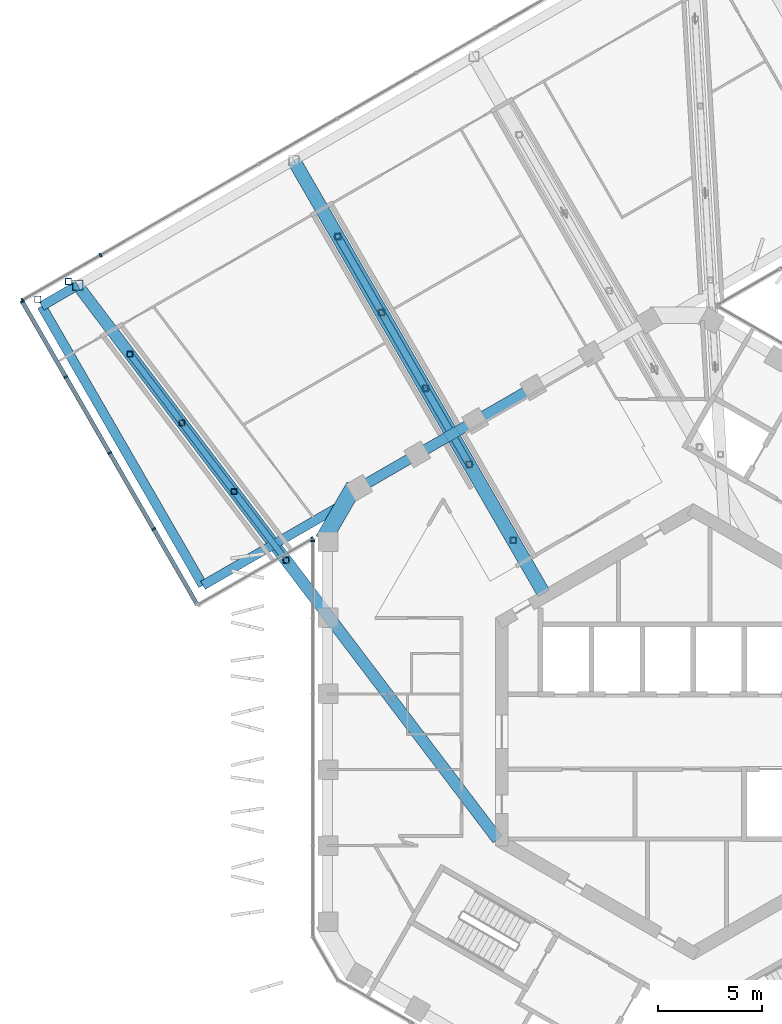
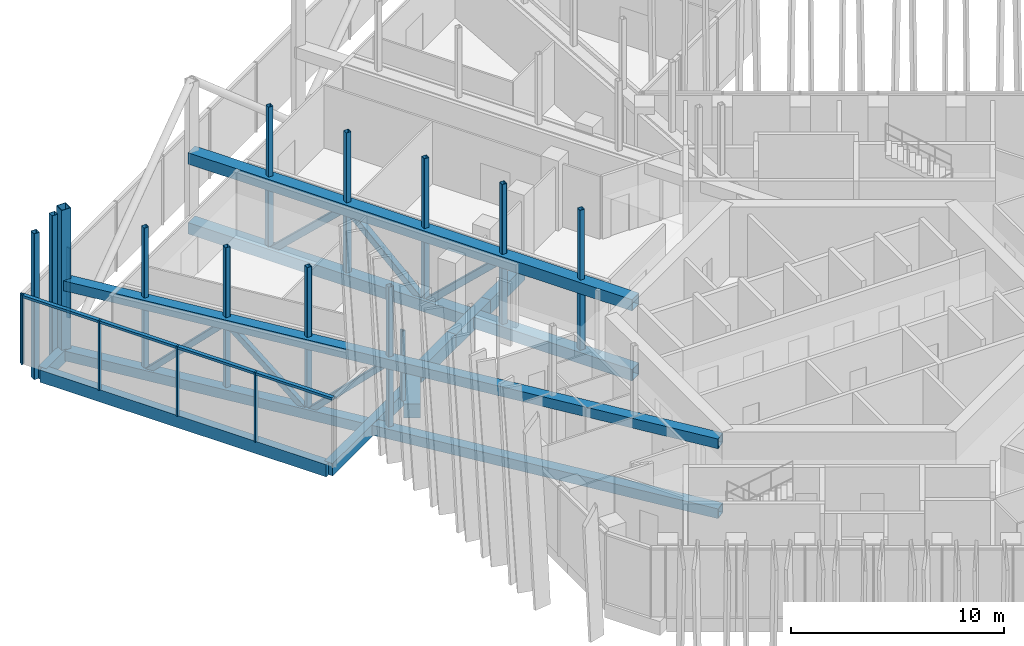
# One storey, part 5 of 29: 40 members, 7 beams, 4 elements without a shape of their own.
"""IFC4 building model written with IfcOpenShell, lengths in metres."""

from ifc_helpers import new_model, si_unit, direction, frame, origin, origin_2d, place, context, subcontext, project, spatial, rectangle, hollow_rectangle, extrude, material, layer, layer_set, material_profile, profile_set, type_object, element, aggregate, save


model = new_model("IFC4")

# Units and contexts
model_context = context("Model", 3, precision=1e-05, world=origin(), true_north=direction((0.0, 1.0)))
body_context = subcontext(model_context, "Body", "Model", "MODEL_VIEW")
ifc_project = project(units=[si_unit("LENGTHUNIT", "METRE"), si_unit("AREAUNIT", "SQUARE_METRE"), si_unit("VOLUMEUNIT", "CUBIC_METRE"), si_unit("PLANEANGLEUNIT", "RADIAN"), si_unit("MASSUNIT", "GRAM", prefix="KILO")], contexts=[model_context])

# Site, building, storey
site_placement = place(None, origin())
site = spatial("IfcSite", under=ifc_project, at=site_placement, CompositionType="ELEMENT")
building_placement = place(site_placement, origin())
building = spatial("IfcBuilding", under=site, at=building_placement, Name="Ayvan Gate Tower", CompositionType="ELEMENT")
storey_placement = place(building_placement, frame((0.0, 0.0, 186.699951171875)))
storey = spatial("IfcBuildingStorey", under=building, at=storey_placement, Name="L50", CompositionType="ELEMENT", Elevation=186.699951171875)

# Beam
ifc_material_1 = material(Name="Concrete C40/50", Category="concrete")
ifc_material_profile_1 = material_profile(ifc_material_1, rectangle(XDim=0.800048828125, YDim=0.800048828125, at=origin_2d()), Name="RC 800x800")
ifc_profile_set_1 = profile_set([ifc_material_profile_1], Name="Concrete C40/50")
beam_type_1 = type_object("IfcBeamType", Name="Corner spandrel beam RC 800x800 C40/50", PredefinedType="BEAM", material=ifc_profile_set_1)
beam_1_placement = place(storey_placement, frame((-16.297607421875, 11.810546875, -0.800048828125), z_axis=(-0.50002537861, -0.866010750942, 0.0), x_axis=(0.866010750942, -0.50002537861, 0.0)))
element("IfcBeam", 1, at=beam_1_placement, inside=storey, type_object=beam_type_1, Name="SB-L50-18", PredefinedType="BEAM", context=body_context, shape_type="SweptSolid", body=[
    extrude(rectangle(XDim=0.800048828125, YDim=0.800048828125, at=origin_2d()), origin(), (0.0, 0.0, 1.0), 2.999755859375),
])

# Members
ifc_material_2 = material(Name="Steel S460NH", Category="steel")
ifc_material_profile_2 = material_profile(ifc_material_2, hollow_rectangle(XDim=0.300048828125, YDim=0.300048828125, WallThickness=0.01416015625, InnerFilletRadius=0.01416015625, OuterFilletRadius=0.021240234375, at=origin_2d()), Name="RHS 300x300x14.2")
ifc_profile_set_2 = profile_set([ifc_material_profile_2], Name="Steel S460NH")
member_type_1 = type_object("IfcMemberType", Name="Sky bar corner post B4 RHS 300x300x14.2", PredefinedType="POST", material=ifc_profile_set_2)
for number, where, z_axis, x_axis, name in (
    (2, (-31.51904296875, 20.792724609375, -1.099853515625), (0.0, 0.0, 1.0), (1.0, 0.0, 0.0), "SBX4-C-P-1"),
    (3, (-30.046875, 21.642578125, -1.099853515625), (0.0, 0.0, 1.0), (1.0, 0.0, 0.0), "SBX4-C-P-2"),
):
    element("IfcMember", number, at=place(storey_placement, frame(where, z_axis=z_axis, x_axis=x_axis)), inside=storey, type_object=member_type_1, Name=name, PredefinedType="POST", context=body_context, shape_type="SweptSolid", body=[
        extrude(hollow_rectangle(XDim=0.300048828125, YDim=0.300048828125, WallThickness=0.01416015625, InnerFilletRadius=0.01416015625, OuterFilletRadius=0.021240234375, at=origin_2d()), origin(), (0.0, 0.0, 1.0), 8.349853515625),
    ])

# Beams
ifc_material_profile_3 = material_profile(ifc_material_1, rectangle(XDim=0.449951171875, YDim=0.699951171875, at=origin_2d()), Name="RC 450x700")
ifc_profile_set_3 = profile_set([ifc_material_profile_3], Name="Concrete C40/50")
beam_type_2 = type_object("IfcBeamType", Name="Sky bar edge beam RC 450x700 C40/50", PredefinedType="BEAM", material=ifc_profile_set_3)
beam_2_placement = place(storey_placement, frame((-16.9794921875, 10.850341796875, -0.75), z_axis=(-0.866038339422, -0.499977594149, 0.0), x_axis=(0.499977594149, -0.866038339422, 0.0)))
element("IfcBeam", 4, at=beam_2_placement, inside=storey, type_object=beam_type_2, Name="EB-B4-L50-1", PredefinedType="BEAM", context=body_context, shape_type="SweptSolid", body=[
    extrude(rectangle(XDim=0.449951171875, YDim=0.699951171875, at=origin_2d()), origin(), (0.0, 0.0, 1.0), 7.620361328125),
])
beam_3_placement = place(storey_placement, frame((-23.5791015625, 7.040283203125, -0.75), z_axis=(-0.500001506187, 0.866024534185, 0.0), x_axis=(-0.866024534185, -0.500001506187, 0.0)))
element("IfcBeam", 5, at=beam_3_placement, inside=storey, type_object=beam_type_2, Name="EB-B4-L50-2", PredefinedType="BEAM", context=body_context, shape_type="SweptSolid", body=[
    extrude(rectangle(XDim=0.449951171875, YDim=0.699951171875, at=origin_2d()), origin(), (0.0, 0.0, 1.0), 15.5),
])
beam_4_placement = place(storey_placement, frame((-31.3291015625, 20.463623046875, -0.75), z_axis=(0.866010750942, 0.50002537861, 0.0), x_axis=(-0.50002537861, 0.866010750942, 0.0)))
element("IfcBeam", 6, at=beam_4_placement, inside=storey, type_object=beam_type_2, Name="EB-B4-L50-3", PredefinedType="BEAM", context=body_context, shape_type="SweptSolid", body=[
    extrude(rectangle(XDim=0.449951171875, YDim=0.699951171875, at=origin_2d()), origin(), (0.0, 0.0, 1.0), 2.0),
])

# Members
ifc_material_profile_4 = material_profile(ifc_material_2, hollow_rectangle(XDim=0.300048828125, YDim=0.300048828125, WallThickness=0.010009765625, InnerFilletRadius=0.010009765625, OuterFilletRadius=0.014892578125, at=origin_2d()), Name="RHS 300x300x10")
ifc_profile_set_4 = profile_set([ifc_material_profile_4], Name="Steel S460NH")
member_type_2 = type_object("IfcMemberType", Name="Sky bar end truss brace B4 RHS 300x300x10", PredefinedType="BRACE", material=ifc_profile_set_4)
member_1_placement = place(storey_placement, frame((-19.5771484375, 8.2431640625, 3.275146484375), z_axis=(-0.434772125055, 0.573622944059, -0.694211723701), x_axis=(-0.796952169771, -0.604042414982, 0.0)))
element("IfcMember", 7, at=member_1_placement, inside=storey, type_object=member_type_2, Name="SBT4-4-D-5", PredefinedType="BRACE", context=body_context, shape_type="SweptSolid", body=[
    extrude(hollow_rectangle(XDim=0.300048828125, YDim=0.300048828125, WallThickness=0.010009765625, InnerFilletRadius=0.010009765625, OuterFilletRadius=0.014892578125, at=origin_2d()), origin(), (0.0, 0.0, 1.0), 5.761962890625),
])
for number, where, z_axis, x_axis, name in (
    (8, (-22.082275390625, 11.54833984375, -0.724853515625), (-0.434748328855, 0.573605080674, 0.694241385962), (-0.796959029895, -0.604033363871, 0.0), "SBT4-4-D-6"),
    (9, (-24.587158203125, 14.853271484375, 3.275146484375), (-0.4347377621, 0.573633511043, -0.694224512109), (-0.79698050844, -0.604005024124, 0.0), "SBT4-4-D-7"),
):
    element("IfcMember", number, at=place(storey_placement, frame(where, z_axis=z_axis, x_axis=x_axis)), inside=storey, type_object=member_type_2, Name=name, PredefinedType="BRACE", context=body_context, shape_type="SweptSolid", body=[
        extrude(hollow_rectangle(XDim=0.300048828125, YDim=0.300048828125, WallThickness=0.010009765625, InnerFilletRadius=0.010009765625, OuterFilletRadius=0.014892578125, at=origin_2d()), origin(), (0.0, 0.0, 1.0), 5.76171875),
    ])
ifc_material_3 = material(Name="Steel S460ML", Category="steel")
ifc_material_profile_5 = material_profile(ifc_material_3, hollow_rectangle(XDim=0.56005859375, YDim=0.56005859375, WallThickness=0.030029296875, at=origin_2d()), Name="BOX 560x560x30")
ifc_profile_set_5 = profile_set([ifc_material_profile_5], Name="Steel S460ML")
member_type_3 = type_object("IfcMemberType", Name="Sky bar end truss chord B4 BOX 560x560x30", PredefinedType="CHORD", material=ifc_profile_set_5)
for number, where, z_axis, x_axis, name in (
    (10, (-9.409423828125, -5.172607421875, -0.724853515625), (-0.604019975188, 0.796969177305, 0.0), (-0.796969177305, -0.604019975188, 0.0), "SBT4-4-BC-1"),
    (11, (-9.409423828125, -5.172607421875, 3.275146484375), (-0.604019975188, 0.796969177305, 0.0), (-0.796969177305, -0.604019975188, 0.0), "SBT4-4-TC-1"),
):
    element("IfcMember", number, at=place(storey_placement, frame(where, z_axis=z_axis, x_axis=x_axis)), inside=storey, type_object=member_type_3, Name=name, PredefinedType="CHORD", context=body_context, shape_type="SweptSolid", body=[
        extrude(hollow_rectangle(XDim=0.56005859375, YDim=0.56005859375, WallThickness=0.030029296875, at=origin_2d()), origin(), (0.0, 0.0, 1.0), 33.421875),
    ])
ifc_material_profile_6 = material_profile(ifc_material_2, hollow_rectangle(XDim=0.27001953125, YDim=0.27001953125, WallThickness=0.012451171875, InnerFilletRadius=0.012451171875, OuterFilletRadius=0.018798828125, at=origin_2d()), Name="RHS 270x270x12.5")
ifc_profile_set_6 = profile_set([ifc_material_profile_6], Name="Steel S460NH")
member_type_4 = type_object("IfcMemberType", Name="Sky bar end truss post B4 RHS 270x270x12.5", PredefinedType="POST", material=ifc_profile_set_6)
for number, where, z_axis, x_axis, name in (
    (12, (-19.5771484375, 8.2431640625, -0.39990234375), (0.0, 0.0, 1.0), (1.0, 0.0, 0.0), "SBT4-4-P-4"),
    (13, (-22.082275390625, 11.54833984375, -0.39990234375), (0.0, 0.0, 1.0), (1.0, 0.0, 0.0), "SBT4-4-P-5"),
    (14, (-24.587158203125, 14.853271484375, -0.39990234375), (0.0, 0.0, 1.0), (1.0, 0.0, 0.0), "SBT4-4-P-6"),
    (15, (-27.092041015625, 18.158447265625, -0.39990234375), (0.0, 0.0, 1.0), (1.0, 0.0, 0.0), "SBT4-4-P-7"),
):
    element("IfcMember", number, at=place(storey_placement, frame(where, z_axis=z_axis, x_axis=x_axis)), inside=storey, type_object=member_type_4, Name=name, PredefinedType="POST", context=body_context, shape_type="SweptSolid", body=[
        extrude(hollow_rectangle(XDim=0.27001953125, YDim=0.27001953125, WallThickness=0.012451171875, InnerFilletRadius=0.012451171875, OuterFilletRadius=0.018798828125, at=origin_2d()), origin(), (0.0, 0.0, 1.0), 3.349853515625),
    ])
ifc_material_profile_7 = material_profile(ifc_material_3, hollow_rectangle(XDim=0.5, YDim=0.5, WallThickness=0.030029296875, at=origin_2d()), Name="BOX 500x500x30")
ifc_profile_set_7 = profile_set([ifc_material_profile_7], Name="Steel S460ML")
member_type_5 = type_object("IfcMemberType", Name="Sky bar end wall post BOX 500x500x30", PredefinedType="POST", material=ifc_profile_set_7)
member_2_placement = place(storey_placement, frame((-29.596923828125, 21.463623046875, -1.050048828125), z_axis=(0.0, 0.0, 1.0), x_axis=(1.0, 0.0, 0.0)))
element("IfcMember", 16, at=member_2_placement, inside=storey, type_object=member_type_5, Name="EXO-B4-P4", PredefinedType="POST", context=body_context, shape_type="SweptSolid", body=[
    extrude(hollow_rectangle(XDim=0.5, YDim=0.5, WallThickness=0.030029296875, at=origin_2d()), origin(), (0.0, 0.0, 1.0), 8.650146484375),
])
ifc_material_profile_8 = material_profile(ifc_material_2, hollow_rectangle(XDim=0.35009765625, YDim=0.35009765625, WallThickness=0.01416015625, InnerFilletRadius=0.01416015625, OuterFilletRadius=0.021240234375, at=origin_2d()), Name="RHS 350x350x14.2")
ifc_profile_set_8 = profile_set([ifc_material_profile_8], Name="Steel S460NH")
member_type_6 = type_object("IfcMemberType", Name="Sky bar truss brace B4 RHS 350x350x14.2", PredefinedType="BRACE", material=ifc_profile_set_8)
member_3_placement = place(storey_placement, frame((-10.77001953125, 12.8544921875, 3.275146484375), z_axis=(-0.362782324577, 0.628327057236, -0.688181730446), x_axis=(-0.866014942046, -0.500018119824, 0.0)))
element("IfcMember", 17, at=member_3_placement, inside=storey, type_object=member_type_6, Name="SBT4-3-D-3", PredefinedType="BRACE", context=body_context, shape_type="SweptSolid", body=[
    extrude(hollow_rectangle(XDim=0.35009765625, YDim=0.35009765625, WallThickness=0.01416015625, InnerFilletRadius=0.01416015625, OuterFilletRadius=0.021240234375, at=origin_2d()), origin(), (0.0, 0.0, 1.0), 5.8125),
])
member_4_placement = place(storey_placement, frame((-12.878662109375, 16.506591796875, -0.724853515625), z_axis=(-0.362809223839, 0.628342902134, 0.688153082123), x_axis=(-0.866004348058, -0.500036467816, 0.0)))
element("IfcMember", 18, at=member_4_placement, inside=storey, type_object=member_type_6, Name="SBT4-3-D-4", PredefinedType="BRACE", context=body_context, shape_type="SweptSolid", body=[
    extrude(hollow_rectangle(XDim=0.35009765625, YDim=0.35009765625, WallThickness=0.01416015625, InnerFilletRadius=0.01416015625, OuterFilletRadius=0.021240234375, at=origin_2d()), origin(), (0.0, 0.0, 1.0), 5.812744140625),
])
member_5_placement = place(storey_placement, frame((-14.987548828125, 20.158935546875, 3.275146484375), z_axis=(-0.362772750158, 0.628352476829, -0.688163568206), x_axis=(-0.866029415149, -0.499993052048, 0.0)))
element("IfcMember", 19, at=member_5_placement, inside=storey, type_object=member_type_6, Name="SBT4-3-D-5", PredefinedType="BRACE", context=body_context, shape_type="SweptSolid", body=[
    extrude(hollow_rectangle(XDim=0.35009765625, YDim=0.35009765625, WallThickness=0.01416015625, InnerFilletRadius=0.01416015625, OuterFilletRadius=0.021240234375, at=origin_2d()), origin(), (0.0, 0.0, 1.0), 5.8125),
])
ifc_material_profile_9 = material_profile(ifc_material_3, hollow_rectangle(XDim=0.64990234375, YDim=0.64990234375, WallThickness=0.034912109375, at=origin_2d()), Name="BOX 650x650x35")
ifc_profile_set_9 = profile_set([ifc_material_profile_9], Name="Steel S460ML")
member_type_7 = type_object("IfcMemberType", Name="Sky bar truss chord B4 BOX 650x650x35", PredefinedType="CHORD", material=ifc_profile_set_9)
for number, where, z_axis, x_axis, name in (
    (20, (-7.1865234375, 6.647216796875, -0.724853515625), (-0.499998527091, 0.866026254167, 0.0), (-0.866026254167, -0.499998527091, 0.0), "SBT4-3-BC-1"),
    (21, (-7.1865234375, 6.647216796875, 3.275146484375), (-0.499998527091, 0.866026254167, 0.0), (-0.866026254167, -0.499998527091, 0.0), "SBT4-3-TC-1"),
):
    element("IfcMember", number, at=place(storey_placement, frame(where, z_axis=z_axis, x_axis=x_axis)), inside=storey, type_object=member_type_7, Name=name, PredefinedType="CHORD", context=body_context, shape_type="SweptSolid", body=[
        extrude(hollow_rectangle(XDim=0.64990234375, YDim=0.64990234375, WallThickness=0.034912109375, at=origin_2d()), origin(), (0.0, 0.0, 1.0), 24.03662109375),
    ])
ifc_material_profile_10 = material_profile(ifc_material_2, hollow_rectangle(XDim=0.300048828125, YDim=0.300048828125, WallThickness=0.01416015625, InnerFilletRadius=0.01416015625, OuterFilletRadius=0.021240234375, at=origin_2d()), Name="RHS 300x300x14.2")
ifc_profile_set_10 = profile_set([ifc_material_profile_10], Name="Steel S460NH")
member_type_8 = type_object("IfcMemberType", Name="Sky bar truss post B4 RHS 300x300x14.2", PredefinedType="POST", material=ifc_profile_set_10)
for number, where, z_axis, x_axis, name in (
    (22, (-8.661376953125, 9.2021484375, -0.39990234375), (0.0, 0.0, 1.0), (1.0, 0.0, 0.0), "SBT4-3-P-1"),
    (23, (-10.77001953125, 12.8544921875, -0.39990234375), (0.0, 0.0, 1.0), (1.0, 0.0, 0.0), "SBT4-3-P-2"),
    (24, (-12.878662109375, 16.506591796875, -0.39990234375), (0.0, 0.0, 1.0), (1.0, 0.0, 0.0), "SBT4-3-P-3"),
    (25, (-14.987548828125, 20.158935546875, -0.39990234375), (0.0, 0.0, 1.0), (1.0, 0.0, 0.0), "SBT4-3-P-4"),
    (26, (-17.09619140625, 23.811279296875, -0.39990234375), (0.0, 0.0, 1.0), (1.0, 0.0, 0.0), "SBT4-3-P-5"),
):
    element("IfcMember", number, at=place(storey_placement, frame(where, z_axis=z_axis, x_axis=x_axis)), inside=storey, type_object=member_type_8, Name=name, PredefinedType="POST", context=body_context, shape_type="SweptSolid", body=[
        extrude(hollow_rectangle(XDim=0.300048828125, YDim=0.300048828125, WallThickness=0.01416015625, InnerFilletRadius=0.01416015625, OuterFilletRadius=0.021240234375, at=origin_2d()), origin(), (0.0, 0.0, 1.0), 3.349853515625),
    ])
ifc_material_profile_11 = material_profile(ifc_material_2, hollow_rectangle(XDim=0.260009765625, YDim=0.260009765625, WallThickness=0.012451171875, InnerFilletRadius=0.012451171875, OuterFilletRadius=0.018798828125, at=origin_2d()), Name="RHS 260x260x12.5")
ifc_profile_set_11 = profile_set([ifc_material_profile_11], Name="Steel S460NH")
member_type_9 = type_object("IfcMemberType", Name="Sky bar upper post B4 RHS 260x260x12.5", PredefinedType="POST", material=ifc_profile_set_11)
for number, where, z_axis, x_axis, name in (
    (27, (-8.661376953125, 9.2021484375, 3.60009765625), (0.0, 0.0, 1.0), (1.0, 0.0, 0.0), "SBT4-3-U-1"),
    (28, (-10.77001953125, 12.8544921875, 3.60009765625), (0.0, 0.0, 1.0), (1.0, 0.0, 0.0), "SBT4-3-U-2"),
    (29, (-12.878662109375, 16.506591796875, 3.60009765625), (0.0, 0.0, 1.0), (1.0, 0.0, 0.0), "SBT4-3-U-3"),
    (30, (-14.987548828125, 20.158935546875, 3.60009765625), (0.0, 0.0, 1.0), (1.0, 0.0, 0.0), "SBT4-3-U-4"),
    (31, (-17.09619140625, 23.811279296875, 3.60009765625), (0.0, 0.0, 1.0), (1.0, 0.0, 0.0), "SBT4-3-U-5"),
    (32, (-19.5771484375, 8.2431640625, 3.60009765625), (0.0, 0.0, 1.0), (1.0, 0.0, 0.0), "SBT4-4-U-4"),
    (33, (-22.082275390625, 11.54833984375, 3.60009765625), (0.0, 0.0, 1.0), (1.0, 0.0, 0.0), "SBT4-4-U-5"),
    (34, (-24.587158203125, 14.853271484375, 3.60009765625), (0.0, 0.0, 1.0), (1.0, 0.0, 0.0), "SBT4-4-U-6"),
    (35, (-27.092041015625, 18.158447265625, 3.60009765625), (0.0, 0.0, 1.0), (1.0, 0.0, 0.0), "SBT4-4-U-7"),
):
    element("IfcMember", number, at=place(storey_placement, frame(where, z_axis=z_axis, x_axis=x_axis)), inside=storey, type_object=member_type_9, Name=name, PredefinedType="POST", context=body_context, shape_type="SweptSolid", body=[
        extrude(hollow_rectangle(XDim=0.260009765625, YDim=0.260009765625, WallThickness=0.012451171875, InnerFilletRadius=0.012451171875, OuterFilletRadius=0.018798828125, at=origin_2d()), origin(), (0.0, 0.0, 1.0), 4.0),
    ])

# Beams
ifc_material_profile_12 = material_profile(ifc_material_1, rectangle(XDim=0.5, YDim=0.800048828125, at=origin_2d()), Name="RC 500x800")
ifc_profile_set_12 = profile_set([ifc_material_profile_12], Name="Concrete C40/50")
beam_type_3 = type_object("IfcBeamType", Name="Spandrel beam RC 500x800 C40/50", PredefinedType="BEAM", material=ifc_profile_set_12)
for number, where, z_axis, x_axis, name in (
    (36, (-7.6904296875, 16.559814453125, -0.800048828125), (-0.866055074793, -0.499948604784, 0.0), (0.499948604784, -0.866055074793, 0.0), "SB-L50-15"),
    (37, (-10.49609375, 14.940185546875, -0.800048828125), (-0.866003601989, -0.500037759916, 0.0), (0.500037759916, -0.866003601989, 0.0), "SB-L50-16"),
):
    element("IfcBeam", number, at=place(storey_placement, frame(where, z_axis=z_axis, x_axis=x_axis)), inside=storey, type_object=beam_type_3, Name=name, PredefinedType="BEAM", context=body_context, shape_type="SweptSolid", body=[
        extrude(rectangle(XDim=0.5, YDim=0.800048828125, at=origin_2d()), origin(), (0.0, 0.0, 1.0), 3.239501953125),
    ])
beam_5_placement = place(storey_placement, frame((-13.301513671875, 13.3203125, -0.800048828125), z_axis=(-0.866036236431, -0.499981236836, 0.0), x_axis=(0.499981236836, -0.866036236431, 0.0)))
element("IfcBeam", 38, at=beam_5_placement, inside=storey, type_object=beam_type_3, Name="SB-L50-17", PredefinedType="BEAM", context=body_context, shape_type="SweptSolid", body=[
    extrude(rectangle(XDim=0.5, YDim=0.800048828125, at=origin_2d()), origin(), (0.0, 0.0, 1.0), 3.2392578125),
])

# Curtain wall, member
ifc_material_4 = material(Name="Bronze anodised aluminium", Category="aluminium")
ifc_layer_1 = layer(ifc_material_4, 0.199951171875)
ifc_layer_set_1 = layer_set([ifc_layer_1], Name="Bronze anodised aluminium")
curtain_wall_type_1 = type_object("IfcCurtainWallType", Name="Stick curtain wall CW-2", PredefinedType="NOTDEFINED", material=ifc_layer_set_1)
curtain_wall_1_placement = place(storey_placement, origin())
curtain_wall_1 = element("IfcCurtainWall", 39, at=curtain_wall_1_placement, inside=storey, type_object=curtain_wall_type_1, Name="Stick curtain wall CW-2 L50", PredefinedType="NOTDEFINED")
ifc_material_profile_13 = material_profile(ifc_material_4, rectangle(XDim=0.199951171875, YDim=0.070068359375, at=origin_2d()), Name="Stick curtain wall CW-2 mullion 200 x 70")
ifc_profile_set_13 = profile_set([ifc_material_profile_13], Name="Bronze anodised aluminium")
member_type_10 = type_object("IfcMemberType", Name="Stick curtain wall CW-2 mullion 200 x 70", PredefinedType="MULLION", material=ifc_profile_set_13)
member_6_placement = place(storey_placement, frame((-18.29296875, 9.167724609375, 0.0), z_axis=(0.0, 0.0, 1.0), x_axis=(-1.0, 0.0, 0.0)))
member_6 = element("IfcMember", 40, at=member_6_placement, type_object=member_type_10, Name="CW-2 mullion 1", PredefinedType="MULLION", context=body_context, shape_type="SweptSolid", body=[
    extrude(rectangle(XDim=0.199951171875, YDim=0.070068359375, at=origin_2d()), origin(), (0.0, 0.0, 1.0), 4.0),
])
aggregate(curtain_wall_1, [member_6])

# Curtain wall, members
ifc_layer_2 = layer(ifc_material_4, 0.199951171875)
ifc_layer_set_2 = layer_set([ifc_layer_2], Name="Bronze anodised aluminium")
curtain_wall_type_2 = type_object("IfcCurtainWallType", Name="Stick curtain wall CW-4", PredefinedType="NOTDEFINED", material=ifc_layer_set_2)
curtain_wall_2_placement = place(storey_placement, origin())
curtain_wall_2 = element("IfcCurtainWall", 41, at=curtain_wall_2_placement, inside=storey, type_object=curtain_wall_type_2, Name="Stick curtain wall CW-4 L50", PredefinedType="NOTDEFINED")
ifc_material_profile_14 = material_profile(ifc_material_4, rectangle(XDim=0.199951171875, YDim=0.080078125, at=origin_2d()), Name="Stick curtain wall CW-4 mullion 200 x 80")
ifc_profile_set_14 = profile_set([ifc_material_profile_14], Name="Bronze anodised aluminium")
member_type_11 = type_object("IfcMemberType", Name="Stick curtain wall CW-4 mullion 200 x 80", PredefinedType="MULLION", material=ifc_profile_set_14)
member_7_placement = place(storey_placement, frame((-28.494140625, 22.90869140625, 0.0), z_axis=(0.0, 0.0, 1.0), x_axis=(-0.5, 0.866025403784, 0.0)))
member_7 = element("IfcMember", 42, at=member_7_placement, type_object=member_type_11, Name="CW-4 mullion 9", PredefinedType="MULLION", context=body_context, shape_type="SweptSolid", body=[
    extrude(rectangle(XDim=0.199951171875, YDim=0.080078125, at=origin_2d()), origin(), (0.0, 0.0, 1.0), 4.0),
])
member_8_placement = place(storey_placement, frame((-32.250732421875, 20.73974609375, 0.0), z_axis=(0.0, 0.0, 1.0), x_axis=(-0.5, 0.866025403784, 0.0)))
member_8 = element("IfcMember", 43, at=member_8_placement, type_object=member_type_11, Name="CW-4 mullion 10", PredefinedType="MULLION", context=body_context, shape_type="SweptSolid", body=[
    extrude(rectangle(XDim=0.199951171875, YDim=0.080078125, at=origin_2d()), origin(), (0.0, 0.0, 1.0), 4.0),
])
aggregate(curtain_wall_2, [member_7, member_8])

curtain_wall_3_placement = place(storey_placement, origin())
curtain_wall_3 = element("IfcCurtainWall", 44, at=curtain_wall_3_placement, inside=storey, type_object=curtain_wall_type_2, Name="Stick curtain wall CW-4 L50", PredefinedType="NOTDEFINED")
member_9_placement = place(storey_placement, frame((-32.265380859375, 20.68505859375, 0.0), z_axis=(0.0, 0.0, 1.0), x_axis=(-0.866025403784, -0.5, 0.0)))
member_9 = element("IfcMember", 45, at=member_9_placement, type_object=member_type_11, Name="CW-4 mullion 1", PredefinedType="MULLION", context=body_context, shape_type="SweptSolid", body=[
    extrude(rectangle(XDim=0.199951171875, YDim=0.080078125, at=origin_2d()), origin(), (0.0, 0.0, 1.0), 4.0),
])
member_10_placement = place(storey_placement, frame((-30.1728515625, 17.060791015625, 0.0), z_axis=(0.0, 0.0, 1.0), x_axis=(-0.866025403784, -0.5, 0.0)))
member_10 = element("IfcMember", 46, at=member_10_placement, type_object=member_type_11, Name="CW-4 mullion 2", PredefinedType="MULLION", context=body_context, shape_type="SweptSolid", body=[
    extrude(rectangle(XDim=0.199951171875, YDim=0.080078125, at=origin_2d()), origin(), (0.0, 0.0, 1.0), 4.0),
])
member_11_placement = place(storey_placement, frame((-28.060302734375, 13.40185546875, 0.0), z_axis=(0.0, 0.0, 1.0), x_axis=(-0.866025403784, -0.5, 0.0)))
member_11 = element("IfcMember", 47, at=member_11_placement, type_object=member_type_11, Name="CW-4 mullion 3", PredefinedType="MULLION", context=body_context, shape_type="SweptSolid", body=[
    extrude(rectangle(XDim=0.199951171875, YDim=0.080078125, at=origin_2d()), origin(), (0.0, 0.0, 1.0), 4.0),
])
member_12_placement = place(storey_placement, frame((-25.94775390625, 9.742919921875, 0.0), z_axis=(0.0, 0.0, 1.0), x_axis=(-0.866025403784, -0.5, 0.0)))
member_12 = element("IfcMember", 48, at=member_12_placement, type_object=member_type_11, Name="CW-4 mullion 4", PredefinedType="MULLION", context=body_context, shape_type="SweptSolid", body=[
    extrude(rectangle(XDim=0.199951171875, YDim=0.080078125, at=origin_2d()), origin(), (0.0, 0.0, 1.0), 4.0),
])

# Curtain wall, member
curtain_wall_4_placement = place(storey_placement, origin())
curtain_wall_4 = element("IfcCurtainWall", 49, at=curtain_wall_4_placement, inside=storey, type_object=curtain_wall_type_2, Name="Stick curtain wall CW-4 L50", PredefinedType="NOTDEFINED")
member_13_placement = place(storey_placement, frame((-18.302001953125, 9.278564453125, 0.0), z_axis=(0.0, 0.0, 1.0), x_axis=(0.5, -0.866025403784, 0.0)))
member_13 = element("IfcMember", 50, at=member_13_placement, type_object=member_type_11, Name="CW-4 mullion 2", PredefinedType="MULLION", context=body_context, shape_type="SweptSolid", body=[
    extrude(rectangle(XDim=0.199951171875, YDim=0.080078125, at=origin_2d()), origin(), (0.0, 0.0, 1.0), 4.0),
])
aggregate(curtain_wall_4, [member_13])

# Member
ifc_material_profile_15 = material_profile(ifc_material_4, rectangle(XDim=0.199951171875, YDim=0.139892578125, at=origin_2d()), Name="Stick curtain wall CW-4 transom 200 x 140")
ifc_profile_set_15 = profile_set([ifc_material_profile_15], Name="Bronze anodised aluminium")
member_type_12 = type_object("IfcMemberType", Name="Stick curtain wall CW-4 transom 200 x 140", PredefinedType="USERDEFINED", material=ifc_profile_set_15)
member_14_placement = place(storey_placement, frame((-32.265380859375, 20.68505859375, 3.929931640625), z_axis=(0.500010598107, -0.866019284878, 0.0), x_axis=(0.866019284878, 0.500010598107, 0.0)))
member_14 = element("IfcMember", 51, at=member_14_placement, type_object=member_type_12, Name="CW-4 transom 1", ObjectType="TRANSOM", PredefinedType="USERDEFINED", context=body_context, shape_type="SweptSolid", body=[
    extrude(rectangle(XDim=0.199951171875, YDim=0.139892578125, at=origin_2d()), origin(), (0.0, 0.0, 1.0), 16.820068359375),
])

aggregate(curtain_wall_3, [member_9, member_10, member_11, member_12, member_14])

save(model, "model.ifc")
